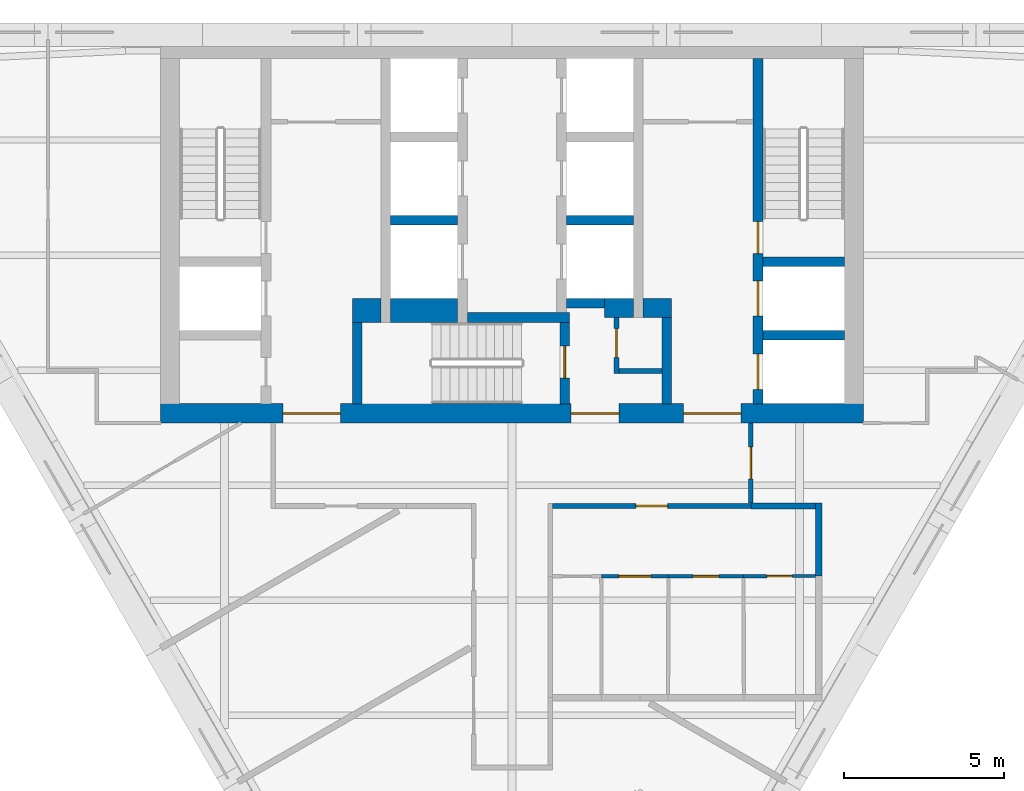
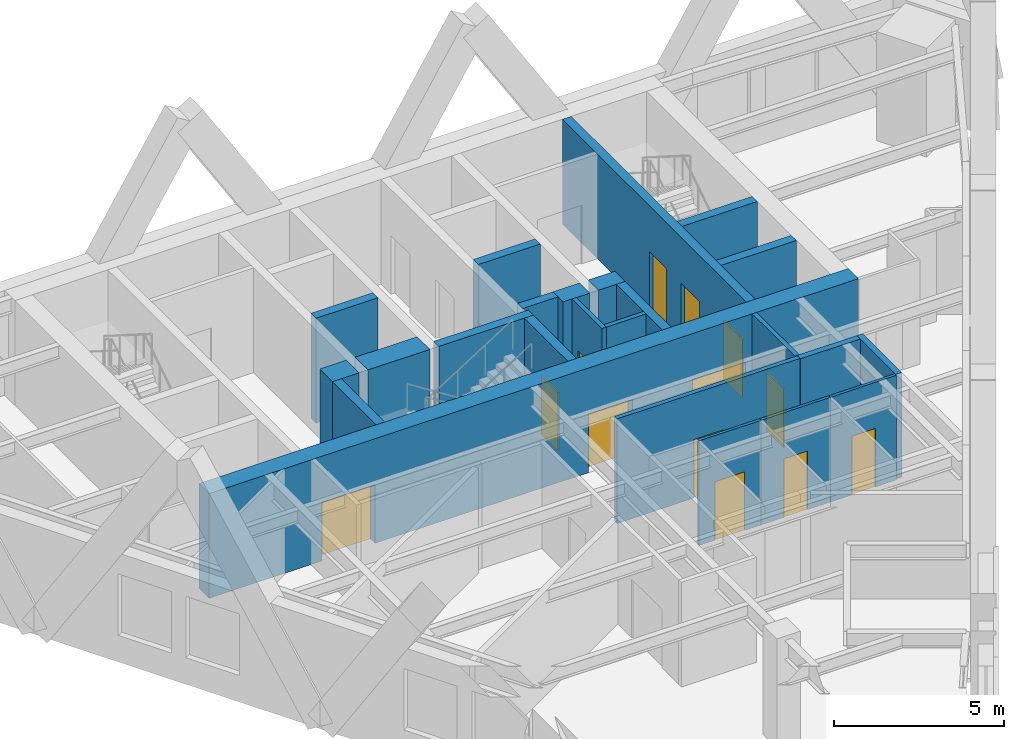
# One storey, part 4 of 7: 24 walls, 13 doors, 13 openings.
"""IFC4 building model written with IfcOpenShell, lengths in metres."""

from ifc_helpers import new_model, si_unit, direction, frame, frame_2d, origin, place, context, subcontext, project, spatial, rectangle, extrude, material, layer, layer_set, type_object, element, fill, save


model = new_model("IFC4")

# Units and contexts
model_context = context("Model", 3, precision=1e-05, world=origin(), true_north=direction((0.0, 1.0)))
body_context = subcontext(model_context, "Body", "Model", "MODEL_VIEW")
ifc_project = project(units=[si_unit("LENGTHUNIT", "METRE"), si_unit("AREAUNIT", "SQUARE_METRE"), si_unit("VOLUMEUNIT", "CUBIC_METRE"), si_unit("PLANEANGLEUNIT", "RADIAN"), si_unit("MASSUNIT", "GRAM", prefix="KILO")], contexts=[model_context])

# Site, building, storey
site_placement = place(None, origin())
site = spatial("IfcSite", under=ifc_project, at=site_placement, CompositionType="ELEMENT")
building_placement = place(site_placement, origin())
building = spatial("IfcBuilding", under=site, at=building_placement, Name="Aloe Facet Convention Tower", CompositionType="ELEMENT")
storey_placement = place(building_placement, frame((0.0, 0.0, 211.39990234375)))
storey = spatial("IfcBuildingStorey", under=building, at=storey_placement, Name="L53", CompositionType="ELEMENT", Elevation=211.39990234375)

# Wall, opening, door
ifc_material_1 = material(Name="Concrete blockwork partition", Category="masonry")
ifc_layer_1 = layer(ifc_material_1, 0.14990234375)
ifc_layer_set_1 = layer_set([ifc_layer_1], Name="CR-W-PART150")
wall_type_1 = type_object("IfcWallType", Name="CR-W-PART150", PredefinedType="PARTITIONING", material=ifc_layer_set_1)
wall_1_placement = place(storey_placement, frame((83.27490234375, 125.85009765625, 0.0), z_axis=(0.0, 0.0, 1.0), x_axis=(0.0, -1.0, 0.0)))
wall_1 = element("IfcWall", 1, at=wall_1_placement, inside=storey, type_object=wall_type_1, Name="Core partition L53-022", PredefinedType="PARTITIONING", context=body_context, shape_type="SweptSolid", body=[
    extrude(rectangle(XDim=1.75, YDim=0.14990234375, at=frame_2d((0.875, 0.0))), origin(), (0.0, 0.0, 1.0), 3.75),
])
opening_1_placement = place(wall_1_placement, frame((0.35009765625, 0.0, 0.0)))
opening_1 = element("IfcOpeningElement", 2, at=opening_1_placement, cuts=wall_1, Name="Opening L53-CD12", PredefinedType="OPENING", context=body_context, shape_type="SweptSolid", body=[
    extrude(rectangle(XDim=0.89990234375, YDim=2.10009765625, at=frame_2d((0.449951171875, 1.050048828125))), frame((0.0, 0.0849609375, 0.0), z_axis=(0.0, -1.0, 0.0), x_axis=(1.0, 0.0, 0.0)), (0.0, 0.0, 1.0), 0.169921875),
])
ifc_material_2 = material(Name="Steel fire-resisting door set FD60", Category="steel")
door_type_1 = type_object("IfcDoorType", Name="CR-D-REFUGE-900-FD60-SRIGHT", OperationType="SINGLE_SWING_RIGHT", PredefinedType="DOOR", material=ifc_material_2)
door_1_placement = place(opening_1_placement, origin())
door_1 = element("IfcDoor", 3, at=door_1_placement, inside=storey, type_object=door_type_1, Name="Core door L53-CD12", OperationType="SINGLE_SWING_RIGHT", OverallHeight=2.10009765625, OverallWidth=0.89990234375, PredefinedType="DOOR", context=body_context, shape_type="SweptSolid", body=[
    extrude(rectangle(XDim=0.89990234375, YDim=2.10009765625, at=frame_2d((0.449951171875, 1.050048828125))), frame((0.0, 0.02490234375, 0.0), z_axis=(0.0, -1.0, 0.0), x_axis=(1.0, 0.0, 0.0)), (0.0, 0.0, 1.0), 0.050048828125),
])
fill(opening_1, door_1)

# Walls
wall_2_placement = place(storey_placement, frame((83.35009765625, 124.175048828125, 0.0), z_axis=(0.0, 0.0, 1.0), x_axis=(1.0, 0.0, 0.0)))
element("IfcWall", 4, at=wall_2_placement, inside=storey, type_object=wall_type_1, Name="Core partition L53-023", PredefinedType="PARTITIONING", context=body_context, shape_type="SweptSolid", body=[
    extrude(rectangle(XDim=1.349853515625, YDim=0.14990234375, at=frame_2d((0.6748046875, 0.0))), origin(), (0.0, 0.0, 1.0), 3.75),
])
ifc_material_3 = material(Name="Concrete C50/60", Category="concrete")
ifc_layer_2 = layer(ifc_material_3, 0.300048828125)
ifc_layer_set_2 = layer_set([ifc_layer_2], Name="CR-W-RC300-C5060")
wall_type_2 = type_object("IfcWallType", Name="CR-W-RC300-C5060", PredefinedType="SOLIDWALL", material=ifc_layer_set_2)
wall_3_placement = place(storey_placement, frame((75.14990234375, 125.699951171875, 0.0), z_axis=(0.0, 0.0, 1.0), x_axis=(0.0, -1.0, 0.0)))
element("IfcWall", 5, at=wall_3_placement, inside=storey, type_object=wall_type_2, Name="Core wall L53-009", PredefinedType="SOLIDWALL", context=body_context, shape_type="SweptSolid", body=[
    extrude(rectangle(XDim=2.550048828125, YDim=0.300048828125, at=frame_2d((1.27490234375, 0.0))), origin(), (0.0, 0.0, 1.0), 3.75),
])
wall_4_placement = place(storey_placement, frame((76.199951171875, 128.89990234375, 0.0), z_axis=(0.0, 0.0, 1.0), x_axis=(1.0, 0.0, 0.0)))
element("IfcWall", 6, at=wall_4_placement, inside=storey, type_object=wall_type_2, Name="Core wall L53-012", PredefinedType="SOLIDWALL", context=body_context, shape_type="SweptSolid", body=[
    extrude(rectangle(XDim=2.10009765625, YDim=0.300048828125, at=frame_2d((1.050048828125, 0.0))), origin(), (0.0, 0.0, 1.0), 3.75),
])
wall_5_placement = place(storey_placement, frame((78.60009765625, 125.85009765625, 0.0), z_axis=(0.0, 0.0, 1.0), x_axis=(1.0, 0.0, 0.0)))
element("IfcWall", 7, at=wall_5_placement, inside=storey, type_object=wall_type_2, Name="Core wall L53-015", PredefinedType="SOLIDWALL", context=body_context, shape_type="SweptSolid", body=[
    extrude(rectangle(XDim=3.199951171875, YDim=0.300048828125, at=frame_2d((1.60009765625, 0.0))), origin(), (0.0, 0.0, 1.0), 3.75),
])

# Wall, opening, door
wall_6_placement = place(storey_placement, frame((81.64990234375, 125.699951171875, 0.0), z_axis=(0.0, 0.0, 1.0), x_axis=(0.0, -1.0, 0.0)))
wall_6 = element("IfcWall", 8, at=wall_6_placement, inside=storey, type_object=wall_type_2, Name="Core wall L53-017", PredefinedType="SOLIDWALL", context=body_context, shape_type="SweptSolid", body=[
    extrude(rectangle(XDim=2.550048828125, YDim=0.300048828125, at=frame_2d((1.27490234375, 0.0))), origin(), (0.0, 0.0, 1.0), 3.75),
])
opening_2_placement = place(wall_6_placement, frame((0.75, 0.0, 0.0)))
opening_2 = element("IfcOpeningElement", 9, at=opening_2_placement, cuts=wall_6, Name="Opening L53-CD18", PredefinedType="OPENING", context=body_context, shape_type="SweptSolid", body=[
    extrude(rectangle(XDim=1.0, YDim=2.10009765625, at=frame_2d((0.5, 1.050048828125))), frame((0.0, 0.16015625, 0.0), z_axis=(0.0, -1.0, 0.0), x_axis=(1.0, 0.0, 0.0)), (0.0, 0.0, 1.0), 0.320068359375),
])
ifc_material_4 = material(Name="Steel fire-resisting door set FD120", Category="steel")
door_type_2 = type_object("IfcDoorType", Name="CR-D-STAIR-1000-FD120-SLEFT", OperationType="SINGLE_SWING_LEFT", PredefinedType="DOOR", material=ifc_material_4)
door_2_placement = place(opening_2_placement, origin())
door_2 = element("IfcDoor", 10, at=door_2_placement, inside=storey, type_object=door_type_2, Name="Core door L53-CD18", OperationType="SINGLE_SWING_LEFT", OverallHeight=2.10009765625, OverallWidth=1.0, PredefinedType="DOOR", context=body_context, shape_type="SweptSolid", body=[
    extrude(rectangle(XDim=1.0, YDim=2.10009765625, at=frame_2d((0.5, 1.050048828125))), frame((0.0, 0.02490234375, 0.0), z_axis=(0.0, -1.0, 0.0), x_axis=(1.0, 0.0, 0.0)), (0.0, 0.0, 1.0), 0.050048828125),
])
fill(opening_2, door_2)

# Walls
wall_7_placement = place(storey_placement, frame((81.699951171875, 128.89990234375, 0.0), z_axis=(0.0, 0.0, 1.0), x_axis=(1.0, 0.0, 0.0)))
element("IfcWall", 11, at=wall_7_placement, inside=storey, type_object=wall_type_2, Name="Core wall L53-019", PredefinedType="SOLIDWALL", context=body_context, shape_type="SweptSolid", body=[
    extrude(rectangle(XDim=2.10009765625, YDim=0.300048828125, at=frame_2d((1.050048828125, 0.0))), origin(), (0.0, 0.0, 1.0), 3.75),
])
wall_8_placement = place(storey_placement, frame((81.699951171875, 126.300048828125, 0.0), z_axis=(0.0, 0.0, 1.0), x_axis=(1.0, 0.0, 0.0)))
element("IfcWall", 12, at=wall_8_placement, inside=storey, type_object=wall_type_2, Name="Core wall L53-020", PredefinedType="SOLIDWALL", context=body_context, shape_type="SweptSolid", body=[
    extrude(rectangle(XDim=1.199951171875, YDim=0.300048828125, at=frame_2d((0.60009765625, 0.0))), origin(), (0.0, 0.0, 1.0), 3.75),
])
wall_9_placement = place(storey_placement, frame((84.85009765625, 125.85009765625, 0.0), z_axis=(0.0, 0.0, 1.0), x_axis=(0.0, -1.0, 0.0)))
element("IfcWall", 13, at=wall_9_placement, inside=storey, type_object=wall_type_2, Name="Core wall L53-027", PredefinedType="SOLIDWALL", context=body_context, shape_type="SweptSolid", body=[
    extrude(rectangle(XDim=2.7001953125, YDim=0.300048828125, at=frame_2d((1.35009765625, 0.0))), origin(), (0.0, 0.0, 1.0), 3.75),
])

# Wall, openings, doors
wall_10_placement = place(storey_placement, frame((87.699951171875, 133.949951171875, 0.0), z_axis=(0.0, 0.0, 1.0), x_axis=(0.0, -1.0, 0.0)))
wall_10 = element("IfcWall", 14, at=wall_10_placement, inside=storey, type_object=wall_type_2, Name="Core wall L53-028", PredefinedType="SOLIDWALL", context=body_context, shape_type="SweptSolid", body=[
    extrude(rectangle(XDim=10.800048828125, YDim=0.300048828125, at=frame_2d((5.39990234375, 0.0))), origin(), (0.0, 0.0, 1.0), 3.75),
])
opening_3_placement = place(wall_10_placement, frame((6.949951171875, 0.0, 0.0)))
opening_3 = element("IfcOpeningElement", 15, at=opening_3_placement, cuts=wall_10, Name="Opening LD-FF2-L53", PredefinedType="OPENING", context=body_context, shape_type="SweptSolid", body=[
    extrude(rectangle(XDim=1.10009765625, YDim=2.10009765625, at=frame_2d((0.550048828125, 1.050048828125))), frame((0.0, 0.16015625, 0.0), z_axis=(0.0, -1.0, 0.0), x_axis=(1.0, 0.0, 0.0)), (0.0, 0.0, 1.0), 0.320068359375),
])
opening_4_placement = place(wall_10_placement, frame((5.10009765625, 0.0, 0.0)))
opening_4 = element("IfcOpeningElement", 16, at=opening_4_placement, cuts=wall_10, Name="Opening L53-CD17", PredefinedType="OPENING", context=body_context, shape_type="SweptSolid", body=[
    extrude(rectangle(XDim=1.0, YDim=2.10009765625, at=frame_2d((0.5, 1.050048828125))), frame((0.0, 0.16015625, 0.0), z_axis=(0.0, -1.0, 0.0), x_axis=(1.0, 0.0, 0.0)), (0.0, 0.0, 1.0), 0.320068359375),
])
opening_5_placement = place(wall_10_placement, frame((9.25, 0.0, 0.0)))
opening_5 = element("IfcOpeningElement", 17, at=opening_5_placement, cuts=wall_10, Name="Opening LD-SV1-L53", PredefinedType="OPENING", context=body_context, shape_type="SweptSolid", body=[
    extrude(rectangle(XDim=1.10009765625, YDim=2.10009765625, at=frame_2d((0.550048828125, 1.050048828125))), frame((0.0, 0.16015625, 0.0), z_axis=(0.0, -1.0, 0.0), x_axis=(1.0, 0.0, 0.0)), (0.0, 0.0, 1.0), 0.320068359375),
])
door_3_placement = place(opening_4_placement, origin())
door_3 = element("IfcDoor", 18, at=door_3_placement, inside=storey, type_object=door_type_2, Name="Core door L53-CD17", OperationType="SINGLE_SWING_LEFT", OverallHeight=2.10009765625, OverallWidth=1.0, PredefinedType="DOOR", context=body_context, shape_type="SweptSolid", body=[
    extrude(rectangle(XDim=1.0, YDim=2.10009765625, at=frame_2d((0.5, 1.050048828125))), frame((0.0, 0.02490234375, 0.0), z_axis=(0.0, -1.0, 0.0), x_axis=(1.0, 0.0, 0.0)), (0.0, 0.0, 1.0), 0.050048828125),
])
fill(opening_4, door_3)
ifc_material_5 = material(Name="Stainless steel sliding landing door", Category="steel")
door_type_3 = type_object("IfcDoorType", Name="CR-LD-1100-FD120-_LEFT", OperationType="SLIDING_TO_LEFT", PredefinedType="DOOR", material=ifc_material_5)
door_4_placement = place(opening_3_placement, origin())
door_4 = element("IfcDoor", 19, at=door_4_placement, inside=storey, type_object=door_type_3, Name="Landing door FF2 L53", OperationType="SLIDING_TO_LEFT", OverallHeight=2.10009765625, OverallWidth=1.10009765625, PredefinedType="DOOR", context=body_context, shape_type="SweptSolid", body=[
    extrude(rectangle(XDim=1.10009765625, YDim=2.10009765625, at=frame_2d((0.550048828125, 1.050048828125))), frame((0.0, 0.02490234375, 0.0), z_axis=(0.0, -1.0, 0.0), x_axis=(1.0, 0.0, 0.0)), (0.0, 0.0, 1.0), 0.050048828125),
])
fill(opening_3, door_4)
door_5_placement = place(opening_5_placement, origin())
door_5 = element("IfcDoor", 20, at=door_5_placement, inside=storey, type_object=door_type_3, Name="Landing door SV1 L53", OperationType="SLIDING_TO_LEFT", OverallHeight=2.10009765625, OverallWidth=1.10009765625, PredefinedType="DOOR", context=body_context, shape_type="SweptSolid", body=[
    extrude(rectangle(XDim=1.10009765625, YDim=2.10009765625, at=frame_2d((0.550048828125, 1.050048828125))), frame((0.0, 0.02490234375, 0.0), z_axis=(0.0, -1.0, 0.0), x_axis=(1.0, 0.0, 0.0)), (0.0, 0.0, 1.0), 0.050048828125),
])
fill(opening_5, door_5)

# Walls
for number, where, z_axis, x_axis, name in (
    (21, (87.85009765625, 127.60009765625, 0.0), (0.0, 0.0, 1.0), (1.0, 0.0, 0.0), "Core wall L53-029"),
    (22, (87.85009765625, 125.300048828125, 0.0), (0.0, 0.0, 1.0), (1.0, 0.0, 0.0), "Core wall L53-030"),
):
    element("IfcWall", number, at=place(storey_placement, frame(where, z_axis=z_axis, x_axis=x_axis)), inside=storey, type_object=wall_type_2, Name=name, PredefinedType="SOLIDWALL", context=body_context, shape_type="SweptSolid", body=[
        extrude(rectangle(XDim=2.5498046875, YDim=0.300048828125, at=frame_2d((1.27490234375, 0.0))), origin(), (0.0, 0.0, 1.0), 3.75),
    ])

# Wall, openings, doors
ifc_material_6 = material(Name="Concrete C50/60", Category="concrete")
ifc_layer_3 = layer(ifc_material_6, 0.60009765625)
ifc_layer_set_3 = layer_set([ifc_layer_3], Name="CR-W-RC600-C5060")
wall_type_3 = type_object("IfcWallType", Name="CR-W-RC600-C5060", PredefinedType="SOLIDWALL", material=ifc_layer_set_3)
wall_11_placement = place(storey_placement, frame((69.0, 122.85009765625, 0.0), z_axis=(0.0, 0.0, 1.0), x_axis=(1.0, 0.0, 0.0)))
wall_11 = element("IfcWall", 23, at=wall_11_placement, inside=storey, type_object=wall_type_3, Name="Core wall L53-003", PredefinedType="SOLIDWALL", context=body_context, shape_type="SweptSolid", body=[
    extrude(rectangle(XDim=22.0, YDim=0.60009765625, at=frame_2d((11.0, 0.0))), origin(), (0.0, 0.0, 1.0), 3.75),
])
opening_6_placement = place(wall_11_placement, frame((16.375, 0.0, 0.0)))
opening_6 = element("IfcOpeningElement", 24, at=opening_6_placement, cuts=wall_11, Name="Opening L53-CD09", PredefinedType="OPENING", context=body_context, shape_type="SweptSolid", body=[
    extrude(rectangle(XDim=1.800048828125, YDim=2.10009765625, at=frame_2d((0.89990234375, 1.050048828125))), frame((0.0, 0.31005859375, 0.0), z_axis=(0.0, -1.0, 0.0), x_axis=(1.0, 0.0, 0.0)), (0.0, 0.0, 1.0), 0.6201171875),
])
opening_7_placement = place(wall_11_placement, frame((3.824951171875, 0.0, 0.0)))
opening_7 = element("IfcOpeningElement", 25, at=opening_7_placement, cuts=wall_11, Name="Opening L53-CD10", PredefinedType="OPENING", context=body_context, shape_type="SweptSolid", body=[
    extrude(rectangle(XDim=1.800048828125, YDim=2.10009765625, at=frame_2d((0.89990234375, 1.050048828125))), frame((0.0, 0.31005859375, 0.0), z_axis=(0.0, -1.0, 0.0), x_axis=(1.0, 0.0, 0.0)), (0.0, 0.0, 1.0), 0.6201171875),
])
opening_8_placement = place(wall_11_placement, frame((12.85009765625, 0.0, 0.0)))
opening_8 = element("IfcOpeningElement", 26, at=opening_8_placement, cuts=wall_11, Name="Opening L53-CD11", PredefinedType="OPENING", context=body_context, shape_type="SweptSolid", body=[
    extrude(rectangle(XDim=1.5, YDim=2.10009765625, at=frame_2d((0.75, 1.050048828125))), frame((0.0, 0.31005859375, 0.0), z_axis=(0.0, -1.0, 0.0), x_axis=(1.0, 0.0, 0.0)), (0.0, 0.0, 1.0), 0.6201171875),
])
ifc_material_7 = material(Name="Steel fire-resisting door set FD60", Category="steel")
door_type_4 = type_object("IfcDoorType", Name="CR-D-EXIT-1500-FD60-DD", OperationType="DOUBLE_DOOR_DOUBLE_SWING", PredefinedType="DOOR", material=ifc_material_7)
door_6_placement = place(opening_8_placement, origin())
door_6 = element("IfcDoor", 27, at=door_6_placement, inside=storey, type_object=door_type_4, Name="Core door L53-CD11", OperationType="DOUBLE_DOOR_DOUBLE_SWING", OverallHeight=2.10009765625, OverallWidth=1.5, PredefinedType="DOOR", context=body_context, shape_type="SweptSolid", body=[
    extrude(rectangle(XDim=1.5, YDim=2.10009765625, at=frame_2d((0.75, 1.050048828125))), frame((0.0, 0.02490234375, 0.0), z_axis=(0.0, -1.0, 0.0), x_axis=(1.0, 0.0, 0.0)), (0.0, 0.0, 1.0), 0.050048828125),
])
fill(opening_8, door_6)
ifc_material_8 = material(Name="Steel fire-resisting door set FD120", Category="steel")
door_type_5 = type_object("IfcDoorType", Name="CR-D-EXIT-1800-FD120-DD", OperationType="DOUBLE_DOOR_DOUBLE_SWING", PredefinedType="DOOR", material=ifc_material_8)
door_7_placement = place(opening_6_placement, origin())
door_7 = element("IfcDoor", 28, at=door_7_placement, inside=storey, type_object=door_type_5, Name="Core door L53-CD09", OperationType="DOUBLE_DOOR_DOUBLE_SWING", OverallHeight=2.10009765625, OverallWidth=1.800048828125, PredefinedType="DOOR", context=body_context, shape_type="SweptSolid", body=[
    extrude(rectangle(XDim=1.800048828125, YDim=2.10009765625, at=frame_2d((0.89990234375, 1.050048828125))), frame((0.0, 0.02490234375, 0.0), z_axis=(0.0, -1.0, 0.0), x_axis=(1.0, 0.0, 0.0)), (0.0, 0.0, 1.0), 0.050048828125),
])
fill(opening_6, door_7)
door_8_placement = place(opening_7_placement, origin())
door_8 = element("IfcDoor", 29, at=door_8_placement, inside=storey, type_object=door_type_5, Name="Core door L53-CD10", OperationType="DOUBLE_DOOR_DOUBLE_SWING", OverallHeight=2.10009765625, OverallWidth=1.800048828125, PredefinedType="DOOR", context=body_context, shape_type="SweptSolid", body=[
    extrude(rectangle(XDim=1.800048828125, YDim=2.10009765625, at=frame_2d((0.89990234375, 1.050048828125))), frame((0.0, 0.02490234375, 0.0), z_axis=(0.0, -1.0, 0.0), x_axis=(1.0, 0.0, 0.0)), (0.0, 0.0, 1.0), 0.050048828125),
])
fill(opening_7, door_8)

# Walls
wall_12_placement = place(storey_placement, frame((82.89990234375, 126.14990234375, 0.0), z_axis=(0.0, 0.0, 1.0), x_axis=(1.0, 0.0, 0.0)))
element("IfcWall", 30, at=wall_12_placement, inside=storey, type_object=wall_type_3, Name="Core wall L53-021", PredefinedType="SOLIDWALL", context=body_context, shape_type="SweptSolid", body=[
    extrude(rectangle(XDim=0.900146484375, YDim=0.60009765625, at=frame_2d((0.4501953125, 0.0))), origin(), (0.0, 0.0, 1.0), 3.75),
])
wall_13_placement = place(storey_placement, frame((84.10009765625, 126.14990234375, 0.0), z_axis=(0.0, 0.0, 1.0), x_axis=(1.0, 0.0, 0.0)))
element("IfcWall", 31, at=wall_13_placement, inside=storey, type_object=wall_type_3, Name="Core wall L53-026", PredefinedType="SOLIDWALL", context=body_context, shape_type="SweptSolid", body=[
    extrude(rectangle(XDim=0.89990234375, YDim=0.60009765625, at=frame_2d((0.449951171875, 0.0))), origin(), (0.0, 0.0, 1.0), 3.75),
])
ifc_material_9 = material(Name="Concrete C50/60", Category="concrete")
ifc_layer_4 = layer(ifc_material_9, 0.75)
ifc_layer_set_4 = layer_set([ifc_layer_4], Name="CR-W-RC750-C5060")
wall_type_4 = type_object("IfcWallType", Name="CR-W-RC750-C5060", PredefinedType="SOLIDWALL", material=ifc_layer_set_4)
wall_14_placement = place(storey_placement, frame((75.0, 126.074951171875, 0.0), z_axis=(0.0, 0.0, 1.0), x_axis=(1.0, 0.0, 0.0)))
element("IfcWall", 32, at=wall_14_placement, inside=storey, type_object=wall_type_4, Name="Core wall L53-008", PredefinedType="SOLIDWALL", context=body_context, shape_type="SweptSolid", body=[
    extrude(rectangle(XDim=0.89990234375, YDim=0.75, at=frame_2d((0.449951171875, 0.0))), origin(), (0.0, 0.0, 1.0), 3.75),
])
wall_15_placement = place(storey_placement, frame((76.199951171875, 126.074951171875, 0.0), z_axis=(0.0, 0.0, 1.0), x_axis=(1.0, 0.0, 0.0)))
element("IfcWall", 33, at=wall_15_placement, inside=storey, type_object=wall_type_4, Name="Core wall L53-013", PredefinedType="SOLIDWALL", context=body_context, shape_type="SweptSolid", body=[
    extrude(rectangle(XDim=2.10009765625, YDim=0.75, at=frame_2d((1.050048828125, 0.0))), origin(), (0.0, 0.0, 1.0), 3.75),
])

# Wall, opening, door
ifc_material_10 = material(Name="Gypsum board partition on steel studs", Category="steel")
ifc_layer_5 = layer(ifc_material_10, 0.14990234375)
ifc_layer_set_5 = layer_set([ifc_layer_5], Name="IN-W-CORR")
wall_type_5 = type_object("IfcWallType", Name="IN-W-CORR", PredefinedType="PARTITIONING", material=ifc_layer_set_5)
wall_16_placement = place(storey_placement, frame((81.27490234375, 119.949951171875, 0.0), z_axis=(0.0, 0.0, 1.0), x_axis=(1.0, 0.0, 0.0)))
wall_16 = element("IfcWall", 34, at=wall_16_placement, inside=storey, type_object=wall_type_5, Name="Partition L53-W028", PredefinedType="PARTITIONING", context=body_context, shape_type="SweptSolid", body=[
    extrude(rectangle(XDim=6.2001953125, YDim=0.14990234375, at=frame_2d((3.10009765625, 0.0))), origin(), (0.0, 0.0, 1.0), 3.75),
])
opening_9_placement = place(wall_16_placement, frame((2.60009765625, 0.0, 0.0)))
opening_9 = element("IfcOpeningElement", 35, at=opening_9_placement, cuts=wall_16, Name="Opening L53-001", PredefinedType="OPENING", context=body_context, shape_type="SweptSolid", body=[
    extrude(rectangle(XDim=1.0, YDim=2.10009765625, at=frame_2d((0.5, 1.050048828125))), frame((0.0, 0.0849609375, 0.0), z_axis=(0.0, -1.0, 0.0), x_axis=(1.0, 0.0, 0.0)), (0.0, 0.0, 1.0), 0.169921875),
])
ifc_material_11 = material(Name="Timber door FD30S with vision panel", Category="wood")
door_type_6 = type_object("IfcDoorType", Name="IN-OFF-D-ENTRY", OperationType="SINGLE_SWING_LEFT", PredefinedType="DOOR", material=ifc_material_11)
door_9_placement = place(opening_9_placement, origin())
door_9 = element("IfcDoor", 36, at=door_9_placement, inside=storey, type_object=door_type_6, Name="Door L53-001", OperationType="SINGLE_SWING_LEFT", OverallHeight=2.10009765625, OverallWidth=1.0, PredefinedType="DOOR", context=body_context, shape_type="SweptSolid", body=[
    extrude(rectangle(XDim=1.0, YDim=2.10009765625, at=frame_2d((0.5, 1.050048828125))), frame((0.0, 0.02490234375, 0.0), z_axis=(0.0, -1.0, 0.0), x_axis=(1.0, 0.0, 0.0)), (0.0, 0.0, 1.0), 0.050048828125),
])
fill(opening_9, door_9)

wall_17_placement = place(storey_placement, frame((87.47509765625, 120.050048828125, 0.0), z_axis=(0.0, 0.0, 1.0), x_axis=(0.0, 1.0, 0.0)))
wall_17 = element("IfcWall", 37, at=wall_17_placement, inside=storey, type_object=wall_type_5, Name="Partition L53-W031", PredefinedType="PARTITIONING", context=body_context, shape_type="SweptSolid", body=[
    extrude(rectangle(XDim=2.5, YDim=0.14990234375, at=frame_2d((1.25, 0.0))), origin(), (0.0, 0.0, 1.0), 3.75),
])
opening_10_placement = place(wall_17_placement, frame((0.75, 0.0, 0.0)))
opening_10 = element("IfcOpeningElement", 38, at=opening_10_placement, cuts=wall_17, Name="Opening L53-011", PredefinedType="OPENING", context=body_context, shape_type="SweptSolid", body=[
    extrude(rectangle(XDim=1.0, YDim=2.10009765625, at=frame_2d((0.5, 1.050048828125))), frame((0.0, 0.0849609375, 0.0), z_axis=(0.0, -1.0, 0.0), x_axis=(1.0, 0.0, 0.0)), (0.0, 0.0, 1.0), 0.169921875),
])
door_10_placement = place(opening_10_placement, origin())
door_10 = element("IfcDoor", 39, at=door_10_placement, inside=storey, type_object=door_type_6, Name="Door L53-011", OperationType="SINGLE_SWING_LEFT", OverallHeight=2.10009765625, OverallWidth=1.0, PredefinedType="DOOR", context=body_context, shape_type="SweptSolid", body=[
    extrude(rectangle(XDim=1.0, YDim=2.10009765625, at=frame_2d((0.5, 1.050048828125))), frame((0.0, 0.02490234375, 0.0), z_axis=(0.0, -1.0, 0.0), x_axis=(1.0, 0.0, 0.0)), (0.0, 0.0, 1.0), 0.050048828125),
])
fill(opening_10, door_10)

ifc_material_12 = material(Name="Gypsum board partition on steel studs", Category="steel")
ifc_layer_6 = layer(ifc_material_12, 0.10009765625)
ifc_layer_set_6 = layer_set([ifc_layer_6], Name="IN-W-PART")
wall_type_6 = type_object("IfcWallType", Name="IN-W-PART", PredefinedType="PARTITIONING", material=ifc_layer_set_6)
wall_18_placement = place(storey_placement, frame((82.7958984375, 117.75, 0.0), z_axis=(0.0, 0.0, 1.0), x_axis=(1.0, 0.0, 0.0)))
wall_18 = element("IfcWall", 40, at=wall_18_placement, inside=storey, type_object=wall_type_6, Name="Partition L53-W018", PredefinedType="PARTITIONING", context=body_context, shape_type="SweptSolid", body=[
    extrude(rectangle(XDim=2.10009765625, YDim=0.10009765625, at=frame_2d((1.050048828125, 0.0))), origin(), (0.0, 0.0, 1.0), 3.75),
])
opening_11_placement = place(wall_18_placement, frame((0.550048828125, 0.0, 0.0)))
opening_11 = element("IfcOpeningElement", 41, at=opening_11_placement, cuts=wall_18, Name="Opening L53-003", PredefinedType="OPENING", context=body_context, shape_type="SweptSolid", body=[
    extrude(rectangle(XDim=1.0, YDim=2.10009765625, at=frame_2d((0.5, 1.050048828125))), frame((0.0, 0.06005859375, 0.0), z_axis=(0.0, -1.0, 0.0), x_axis=(1.0, 0.0, 0.0)), (0.0, 0.0, 1.0), 0.1201171875),
])
ifc_material_13 = material(Name="Timber door", Category="wood")
door_type_7 = type_object("IfcDoorType", Name="IN-OFF-D-WIDE", OperationType="SINGLE_SWING_LEFT", PredefinedType="DOOR", material=ifc_material_13)
door_11_placement = place(opening_11_placement, origin())
door_11 = element("IfcDoor", 42, at=door_11_placement, inside=storey, type_object=door_type_7, Name="Door L53-003", OperationType="SINGLE_SWING_LEFT", OverallHeight=2.10009765625, OverallWidth=1.0, PredefinedType="DOOR", context=body_context, shape_type="SweptSolid", body=[
    extrude(rectangle(XDim=1.0, YDim=2.10009765625, at=frame_2d((0.5, 1.050048828125))), frame((0.0, 0.02490234375, 0.0), z_axis=(0.0, -1.0, 0.0), x_axis=(1.0, 0.0, 0.0)), (0.0, 0.0, 1.0), 0.050048828125),
])
fill(opening_11, door_11)

wall_19_placement = place(storey_placement, frame((84.89599609375, 117.75, 0.0), z_axis=(0.0, 0.0, 1.0), x_axis=(1.0, 0.0, 0.0)))
wall_19 = element("IfcWall", 43, at=wall_19_placement, inside=storey, type_object=wall_type_6, Name="Partition L53-W020", PredefinedType="PARTITIONING", context=body_context, shape_type="SweptSolid", body=[
    extrude(rectangle(XDim=2.35205078125, YDim=0.10009765625, at=frame_2d((1.176025390625, 0.0))), origin(), (0.0, 0.0, 1.0), 3.75),
])
opening_12_placement = place(wall_19_placement, frame((0.77587890625, 0.0, 0.0)))
opening_12 = element("IfcOpeningElement", 44, at=opening_12_placement, cuts=wall_19, Name="Opening L53-004", PredefinedType="OPENING", context=body_context, shape_type="SweptSolid", body=[
    extrude(rectangle(XDim=0.800048828125, YDim=2.10009765625, at=frame_2d((0.39990234375, 1.050048828125))), frame((0.0, 0.06005859375, 0.0), z_axis=(0.0, -1.0, 0.0), x_axis=(1.0, 0.0, 0.0)), (0.0, 0.0, 1.0), 0.1201171875),
])
ifc_material_14 = material(Name="Timber door", Category="wood")
door_type_8 = type_object("IfcDoorType", Name="IN-OFF-D-WC", OperationType="SINGLE_SWING_LEFT", PredefinedType="DOOR", material=ifc_material_14)
door_12_placement = place(opening_12_placement, origin())
door_12 = element("IfcDoor", 45, at=door_12_placement, inside=storey, type_object=door_type_8, Name="Door L53-004", OperationType="SINGLE_SWING_LEFT", OverallHeight=2.10009765625, OverallWidth=0.800048828125, PredefinedType="DOOR", context=body_context, shape_type="SweptSolid", body=[
    extrude(rectangle(XDim=0.800048828125, YDim=2.10009765625, at=frame_2d((0.39990234375, 1.050048828125))), frame((0.0, 0.02490234375, 0.0), z_axis=(0.0, -1.0, 0.0), x_axis=(1.0, 0.0, 0.0)), (0.0, 0.0, 1.0), 0.050048828125),
])
fill(opening_12, door_12)

wall_20_placement = place(storey_placement, frame((87.248046875, 117.75, 0.0), z_axis=(0.0, 0.0, 1.0), x_axis=(0.999991061702, 0.004228062815, 0.0)))
wall_20 = element("IfcWall", 46, at=wall_20_placement, inside=storey, type_object=wall_type_6, Name="Partition L53-W021", PredefinedType="PARTITIONING", context=body_context, shape_type="SweptSolid", body=[
    extrude(rectangle(XDim=2.251953125, YDim=0.10009765625, at=frame_2d((1.1259765625, 0.0))), origin(), (0.0, 0.0, 1.0), 3.75),
])
opening_13_placement = place(wall_20_placement, frame((0.72607421875, 0.0, 0.0)))
opening_13 = element("IfcOpeningElement", 47, at=opening_13_placement, cuts=wall_20, Name="Opening L53-005", PredefinedType="OPENING", context=body_context, shape_type="SweptSolid", body=[
    extrude(rectangle(XDim=0.800048828125, YDim=2.10009765625, at=frame_2d((0.39990234375, 1.050048828125))), frame((0.0, 0.06005859375, 0.0), z_axis=(0.0, -1.0, 0.0), x_axis=(1.0, 0.0, 0.0)), (0.0, 0.0, 1.0), 0.1201171875),
])
door_13_placement = place(opening_13_placement, origin())
door_13 = element("IfcDoor", 48, at=door_13_placement, inside=storey, type_object=door_type_8, Name="Door L53-005", OperationType="SINGLE_SWING_LEFT", OverallHeight=2.10009765625, OverallWidth=0.800048828125, PredefinedType="DOOR", context=body_context, shape_type="SweptSolid", body=[
    extrude(rectangle(XDim=0.800048828125, YDim=2.10009765625, at=frame_2d((0.39990234375, 1.050048828125))), frame((0.0, 0.02490234375, 0.0), z_axis=(0.0, -1.0, 0.0), x_axis=(1.0, 0.0, 0.0)), (0.0, 0.0, 1.0), 0.050048828125),
])
fill(opening_13, door_13)

# Walls
ifc_material_15 = material(Name="Gypsum board partition on steel studs", Category="steel")
ifc_layer_7 = layer(ifc_material_15, 0.199951171875)
ifc_layer_set_7 = layer_set([ifc_layer_7], Name="IN-W-PARTY")
wall_type_7 = type_object("IfcWallType", Name="IN-W-PARTY", PredefinedType="PARTITIONING", material=ifc_layer_set_7)
wall_21_placement = place(storey_placement, frame((89.60009765625, 117.760009765625, 0.0), z_axis=(0.0, 0.0, 1.0), x_axis=(0.0, 1.0, 0.0)))
element("IfcWall", 49, at=wall_21_placement, inside=storey, type_object=wall_type_7, Name="Partition L53-W014", PredefinedType="PARTITIONING", context=body_context, shape_type="SweptSolid", body=[
    extrude(rectangle(XDim=2.2880859375, YDim=0.199951171875, at=frame_2d((1.14404296875, 0.0))), origin(), (0.0, 0.0, 1.0), 3.75),
])
wall_22_placement = place(storey_placement, frame((87.47509765625, 119.949951171875, 0.0), z_axis=(0.0, 0.0, 1.0), x_axis=(0.999999534819, -0.00096455224, 0.0)))
element("IfcWall", 50, at=wall_22_placement, inside=storey, type_object=wall_type_7, Name="Partition L53-W029", PredefinedType="PARTITIONING", context=body_context, shape_type="SweptSolid", body=[
    extrude(rectangle(XDim=2.02490234375, YDim=0.199951171875, at=frame_2d((1.012451171875, 0.0))), origin(), (0.0, 0.0, 1.0), 3.75),
])

save(model, "model.ifc")
